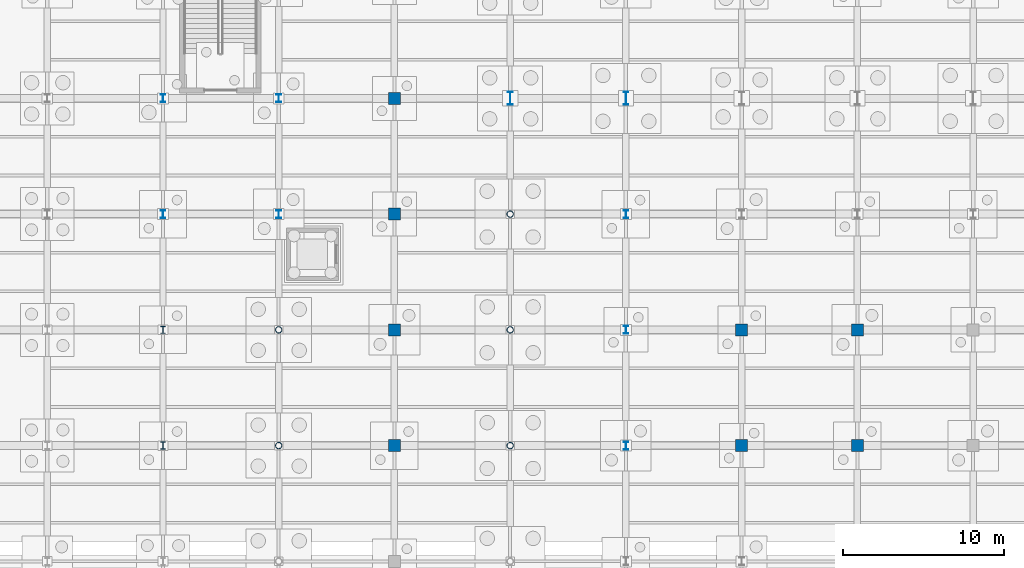
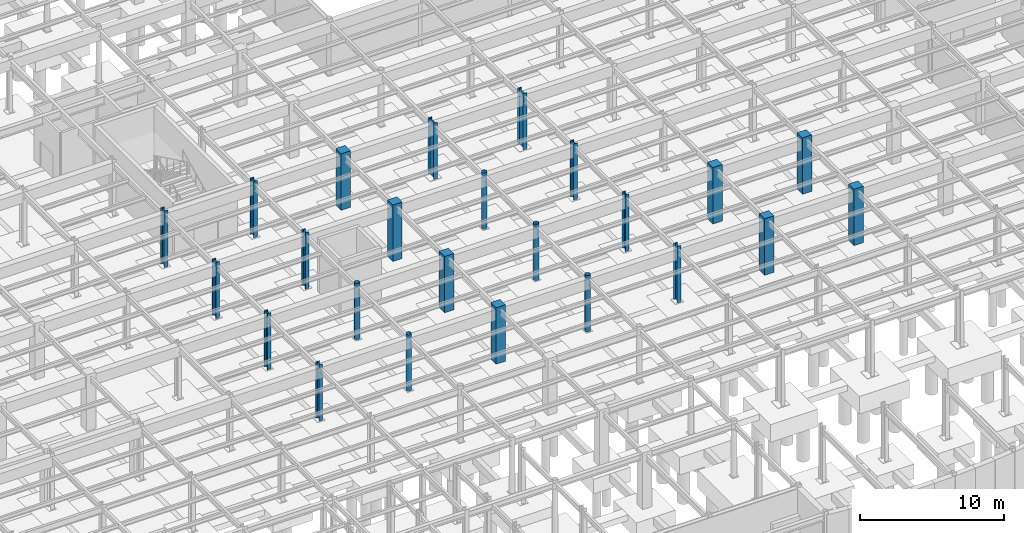
# One storey, part 21 of 64: 24 columns.
"""IFC4 building model written with IfcOpenShell, lengths in metres."""

from ifc_helpers import new_model, si_unit, direction, frame, origin, origin_2d, place, context, subcontext, project, spatial, rectangle, hollow_circle, i_section, extrude, material, material_profile, profile_set, type_object, element, save


model = new_model("IFC4")

# Units and contexts
model_context = context("Model", 3, precision=1e-05, world=origin(), true_north=direction((0.0, 1.0)))
body_context = subcontext(model_context, "Body", "Model", "MODEL_VIEW")
ifc_project = project(units=[si_unit("LENGTHUNIT", "METRE"), si_unit("AREAUNIT", "SQUARE_METRE"), si_unit("VOLUMEUNIT", "CUBIC_METRE"), si_unit("PLANEANGLEUNIT", "RADIAN"), si_unit("MASSUNIT", "GRAM", prefix="KILO")], contexts=[model_context])

# Site, building, storey
site_placement = place(None, origin())
site = spatial("IfcSite", under=ifc_project, at=site_placement, CompositionType="ELEMENT")
building_placement = place(site_placement, origin())
building = spatial("IfcBuilding", under=site, at=building_placement, Name="Solvadek Multi-Sports Hall", CompositionType="ELEMENT")
storey_placement = place(building_placement, frame((0.0, 0.0, -4.800048828125)))
storey = spatial("IfcBuildingStorey", under=building, at=storey_placement, Name="B1", CompositionType="ELEMENT", Elevation=-4.800048828125)

# Columns
ifc_material_1 = material(Name="Steel E350 (350 MPa)", Category="steel")
ifc_material_profile_1 = material_profile(ifc_material_1, hollow_circle(Radius=0.203125, WallThickness=0.01611328125, at=origin_2d()), Name="CHS 406.4x16")
ifc_profile_set_1 = profile_set([ifc_material_profile_1], Name="Steel E350 (350 MPa)")
column_type_1 = type_object("IfcColumnType", Name="STR-COL-CHS406", PredefinedType="COLUMN", material=ifc_profile_set_1)
for number, where, z_axis, x_axis, name in (
    (1, (72.0, 20.39990234375, 0.0), (0.0, 0.0, 1.0), (1.0, 0.0, 0.0), "B1 Column C-11 #147"),
    (2, (72.0, 27.60009765625, 0.0), (0.0, 0.0, 1.0), (1.0, 0.0, 0.0), "B1 Column C-11 #148"),
    (3, (86.39990234375, 20.39990234375, 0.0), (0.0, 0.0, 1.0), (1.0, 0.0, 0.0), "B1 Column C-11 #177"),
    (4, (86.39990234375, 27.60009765625, 0.0), (0.0, 0.0, 1.0), (1.0, 0.0, 0.0), "B1 Column C-11 #178"),
    (5, (86.39990234375, 34.800048828125, 0.0), (0.0, 0.0, 1.0), (1.0, 0.0, 0.0), "B1 Column C-11 #179"),
):
    element("IfcColumn", number, at=place(storey_placement, frame(where, z_axis=z_axis, x_axis=x_axis)), inside=storey, type_object=column_type_1, Name=name, PredefinedType="COLUMN", context=body_context, shape_type="SweptSolid", body=[
        extrude(hollow_circle(Radius=0.203125, WallThickness=0.01611328125, at=origin_2d()), origin(), (0.0, 0.0, 1.0), 4.800048828125),
    ])
ifc_material_2 = material(Name="Concrete M40", Category="concrete")
ifc_material_profile_2 = material_profile(ifc_material_2, rectangle(XDim=0.75, YDim=0.75, at=origin_2d()), Name="RC 750x750")
ifc_profile_set_2 = profile_set([ifc_material_profile_2], Name="Concrete M40")
column_type_2 = type_object("IfcColumnType", Name="STR-COL-RC750", PredefinedType="COLUMN", material=ifc_profile_set_2)
for number, where, z_axis, x_axis, name in (
    (6, (79.199951171875, 20.39990234375, 0.0), (0.0, 0.0, 1.0), (1.0, 0.0, 0.0), "B1 Column C-13 #163"),
    (7, (79.199951171875, 27.60009765625, 0.0), (0.0, 0.0, 1.0), (1.0, 0.0, 0.0), "B1 Column C-13 #164"),
    (8, (79.199951171875, 34.800048828125, 0.0), (0.0, 0.0, 1.0), (1.0, 0.0, 0.0), "B1 Column C-13 #165"),
    (9, (79.199951171875, 42.0, 0.0), (0.0, 0.0, 1.0), (1.0, 0.0, 0.0), "B1 Column C-13 #166"),
    (10, (100.800048828125, 20.39990234375, 0.0), (0.0, 0.0, 1.0), (1.0, 0.0, 0.0), "B1 Column C-13 #200"),
    (11, (100.800048828125, 27.60009765625, 0.0), (0.0, 0.0, 1.0), (1.0, 0.0, 0.0), "B1 Column C-13 #201"),
    (12, (108.0, 20.39990234375, 0.0), (0.0, 0.0, 1.0), (1.0, 0.0, 0.0), "B1 Column C-13 #208"),
    (13, (108.0, 27.60009765625, 0.0), (0.0, 0.0, 1.0), (1.0, 0.0, 0.0), "B1 Column C-13 #209"),
):
    element("IfcColumn", number, at=place(storey_placement, frame(where, z_axis=z_axis, x_axis=x_axis)), inside=storey, type_object=column_type_2, Name=name, PredefinedType="COLUMN", context=body_context, shape_type="SweptSolid", body=[
        extrude(rectangle(XDim=0.75, YDim=0.75, at=origin_2d()), origin(), (0.0, 0.0, 1.0), 4.800048828125),
    ])
ifc_material_profile_3 = material_profile(ifc_material_1, i_section(OverallWidth=0.300048828125, OverallDepth=0.449951171875, WebThickness=0.013916015625, FlangeThickness=0.02587890625, at=origin_2d()), Name="WPB 450")
ifc_profile_set_3 = profile_set([ifc_material_profile_3], Name="Steel E350 (350 MPa)")
column_type_3 = type_object("IfcColumnType", Name="STR-COL-WPB450", PredefinedType="COLUMN", material=ifc_profile_set_3)
for number, where, z_axis, x_axis, name in (
    (14, (64.800048828125, 20.39990234375, 0.0), (0.0, 0.0, 1.0), (1.0, 0.0, 0.0), "B1 Column C-06 #132"),
    (15, (64.800048828125, 27.60009765625, 0.0), (0.0, 0.0, 1.0), (1.0, 0.0, 0.0), "B1 Column C-06 #133"),
):
    element("IfcColumn", number, at=place(storey_placement, frame(where, z_axis=z_axis, x_axis=x_axis)), inside=storey, type_object=column_type_3, Name=name, PredefinedType="COLUMN", context=body_context, shape_type="SweptSolid", body=[
        extrude(i_section(OverallWidth=0.300048828125, OverallDepth=0.449951171875, WebThickness=0.013916015625, FlangeThickness=0.02587890625, at=origin_2d()), origin(), (0.0, 0.0, 1.0), 4.800048828125),
    ])
ifc_material_profile_4 = material_profile(ifc_material_1, i_section(OverallWidth=0.300048828125, OverallDepth=0.5, WebThickness=0.014404296875, FlangeThickness=0.028076171875, at=origin_2d()), Name="WPB 500")
ifc_profile_set_4 = profile_set([ifc_material_profile_4], Name="Steel E350 (350 MPa)")
column_type_4 = type_object("IfcColumnType", Name="STR-COL-WPB500", PredefinedType="COLUMN", material=ifc_profile_set_4)
for number, where, z_axis, x_axis, name in (
    (16, (64.800048828125, 34.800048828125, 0.0), (0.0, 0.0, 1.0), (1.0, 0.0, 0.0), "B1 Column C-05 #134"),
    (17, (64.800048828125, 42.0, 0.0), (0.0, 0.0, 1.0), (1.0, 0.0, 0.0), "B1 Column C-05 #135"),
    (18, (72.0, 34.800048828125, 0.0), (0.0, 0.0, 1.0), (1.0, 0.0, 0.0), "B1 Column C-05 #149"),
    (19, (72.0, 42.0, 0.0), (0.0, 0.0, 1.0), (1.0, 0.0, 0.0), "B1 Column C-05 #150"),
    (20, (93.60009765625, 20.39990234375, 0.0), (0.0, 0.0, 1.0), (1.0, 0.0, 0.0), "B1 Column C-05 #192"),
    (21, (93.60009765625, 27.60009765625, 0.0), (0.0, 0.0, 1.0), (1.0, 0.0, 0.0), "B1 Column C-05 #193"),
    (22, (93.60009765625, 34.800048828125, 0.0), (0.0, 0.0, 1.0), (1.0, 0.0, 0.0), "B1 Column C-05 #194"),
):
    element("IfcColumn", number, at=place(storey_placement, frame(where, z_axis=z_axis, x_axis=x_axis)), inside=storey, type_object=column_type_4, Name=name, PredefinedType="COLUMN", context=body_context, shape_type="SweptSolid", body=[
        extrude(i_section(OverallWidth=0.300048828125, OverallDepth=0.5, WebThickness=0.014404296875, FlangeThickness=0.028076171875, at=origin_2d()), origin(), (0.0, 0.0, 1.0), 4.800048828125),
    ])
ifc_material_profile_5 = material_profile(ifc_material_1, i_section(OverallWidth=0.300048828125, OverallDepth=0.800048828125, WebThickness=0.017578125, FlangeThickness=0.032958984375, at=origin_2d()), Name="WPB 800")
ifc_profile_set_5 = profile_set([ifc_material_profile_5], Name="Steel E350 (350 MPa)")
column_type_5 = type_object("IfcColumnType", Name="STR-COL-WPB800", PredefinedType="COLUMN", material=ifc_profile_set_5)
for number, where, z_axis, x_axis, name in (
    (23, (86.39990234375, 42.0, 0.0), (0.0, 0.0, 1.0), (1.0, 0.0, 0.0), "B1 Column C-01 #180"),
    (24, (93.60009765625, 42.0, 0.0), (0.0, 0.0, 1.0), (1.0, 0.0, 0.0), "B1 Column C-01 #195"),
):
    element("IfcColumn", number, at=place(storey_placement, frame(where, z_axis=z_axis, x_axis=x_axis)), inside=storey, type_object=column_type_5, Name=name, PredefinedType="COLUMN", context=body_context, shape_type="SweptSolid", body=[
        extrude(i_section(OverallWidth=0.300048828125, OverallDepth=0.800048828125, WebThickness=0.017578125, FlangeThickness=0.032958984375, at=origin_2d()), origin(), (0.0, 0.0, 1.0), 4.800048828125),
    ])

save(model, "model.ifc")
